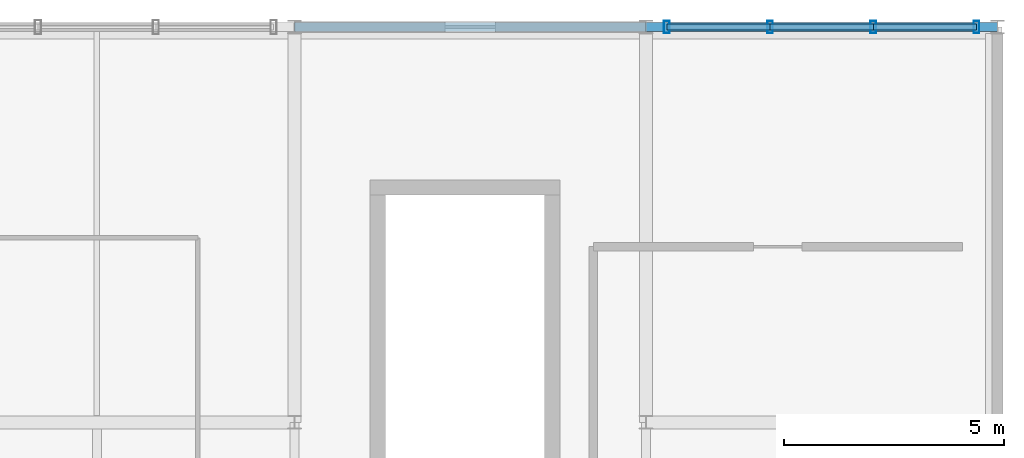
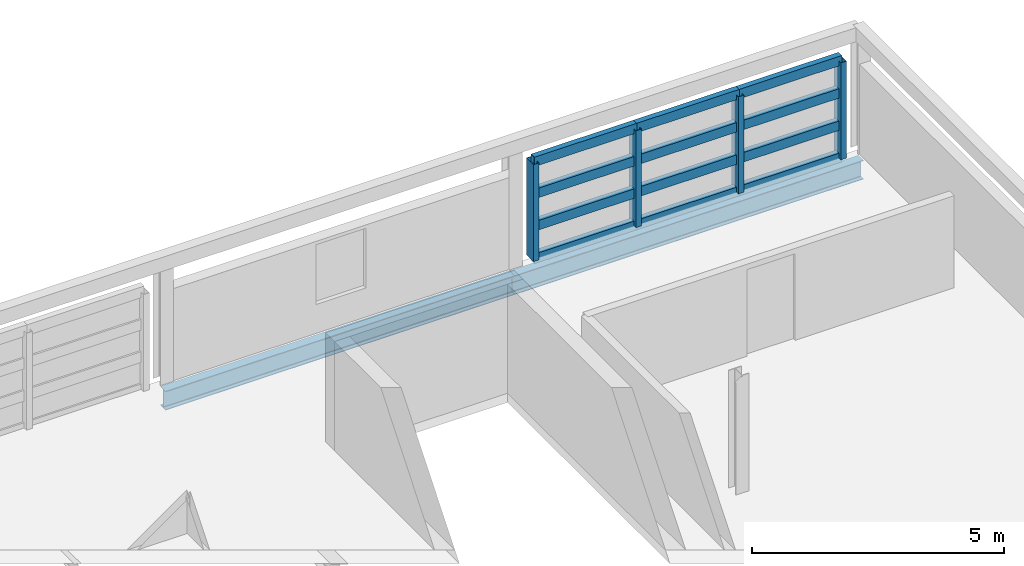
# One storey, part 21 of 27: 16 members, 2 beams, 1 element without a shape of its own.
"""IFC4 building model written with IfcOpenShell, lengths in metres."""

import ifcopenshell
import ifcopenshell.guid

model = None  # the IFC model being written
_history = None  # IfcOwnerHistory: only IFC2X3 demands one
_inside = {}  # id of a spatial element -> (the spatial element, [elements in it])
_under = {}  # id of a project, library or spatial element -> (it, [spatial elements below it])
_declared = {}  # id of a project -> (the project, [libraries it declares])
_typed = {}  # id of a type object -> (the type object, [elements of that type])
_made_of = {}  # id of a material, layer set ... -> (it, [elements and type objects made of it])


def new_model(schema):
    """Start an empty IFC model of exactly this schema.

    Asked for "IFC4X3", IfcOpenShell would pick the latest addendum, in which some entities
    have other attributes; the version numbers below select the first issue.
    IFC2X3 requires an IfcOwnerHistory on every rooted entity: one is made here for all.
    """
    global model, _history
    if schema == "IFC4X3":
        model = ifcopenshell.file(schema_version=(4, 3, 0, 0))
    else:
        model = ifcopenshell.file(schema=schema)
    _inside.clear()
    _under.clear()
    _declared.clear()
    _typed.clear()
    _made_of.clear()
    _history = None
    if model.schema == "IFC2X3":
        org = make("IfcOrganization", Name="unknown")
        user = make(
            "IfcPersonAndOrganization",
            ThePerson=make("IfcPerson", FamilyName="unknown"),
            TheOrganization=org,
        )
        app = make(
            "IfcApplication",
            ApplicationDeveloper=org,
            Version="unknown",
            ApplicationFullName="unknown",
            ApplicationIdentifier="unknown",
        )
        _history = make(
            "IfcOwnerHistory",
            OwningUser=user,
            OwningApplication=app,
            ChangeAction="ADDED",
            CreationDate=0,
        )
    return model


def make(cls, **values):
    """One entity of the class cls with the attributes given. An attribute that is None is left unset."""
    return model.create_entity(
        cls, **{name: value for name, value in values.items() if value is not None}
    )


def rooted(cls, **values):
    """An entity with a GlobalId (a new one), such as an element, a storey or a relation."""
    return make(cls, GlobalId=ifcopenshell.guid.new(), OwnerHistory=_history, **values)


def si_unit(unit_type, name, prefix=None):
    """IfcSIUnit, for example si_unit("LENGTHUNIT", "METRE", prefix="MILLI")."""
    return make("IfcSIUnit", UnitType=unit_type, Prefix=prefix, Name=name)


def assignment(units):
    """IfcUnitAssignment: the units of a project."""
    return None if units is None else make("IfcUnitAssignment", Units=units)


def point(xyz):
    """IfcCartesianPoint."""
    return None if xyz is None else make("IfcCartesianPoint", Coordinates=xyz)


def direction(xyz):
    """IfcDirection."""
    return None if xyz is None else make("IfcDirection", DirectionRatios=xyz)


def frame(location, z_axis=None, x_axis=None):
    """IfcAxis2Placement3D, a coordinate frame: its origin and axes. An axis left out is left unset."""
    return make(
        "IfcAxis2Placement3D",
        Location=point(location),
        Axis=direction(z_axis),
        RefDirection=direction(x_axis),
    )


def frame_2d(location, x_axis=None):
    """IfcAxis2Placement2D, a coordinate frame in the plane: its origin and x axis."""
    return make(
        "IfcAxis2Placement2D", Location=point(location), RefDirection=direction(x_axis)
    )


def origin():
    """The frame at (0, 0, 0) with its axes left unset."""
    return frame((0.0, 0.0, 0.0))


def origin_2d():
    """The frame at (0, 0) in the plane with its x axis left unset."""
    return frame_2d((0.0, 0.0))


def place(relative_to, where):
    """IfcLocalPlacement: puts the frame where relative to a parent placement (None: the world)."""
    return make(
        "IfcLocalPlacement", PlacementRelTo=relative_to, RelativePlacement=where
    )


def context(
    kind, dimensions, precision=None, world=None, true_north=None, identifier=None
):
    """IfcGeometricRepresentationContext, for example the 3D "Model" context."""
    return make(
        "IfcGeometricRepresentationContext",
        ContextIdentifier=identifier,
        ContextType=kind,
        CoordinateSpaceDimension=dimensions,
        Precision=precision,
        WorldCoordinateSystem=world,
        TrueNorth=true_north,
    )


def subcontext(parent, identifier, kind, view, scale=None):
    """IfcGeometricRepresentationSubContext, for example "Body" below "Model"."""
    return make(
        "IfcGeometricRepresentationSubContext",
        ContextIdentifier=identifier,
        ContextType=kind,
        ParentContext=parent,
        TargetScale=scale,
        TargetView=view,
    )


def project(units=None, contexts=None):
    """IfcProject with its units and contexts."""
    return rooted(
        "IfcProject",
        Name="project",
        RepresentationContexts=contexts,
        UnitsInContext=assignment(units),
    )


def spatial(cls, under=None, at=None, **own):
    """A site, building, storey or space (cls), placed at a placement, below another one or the project."""
    s = rooted(cls, ObjectPlacement=at, **own)
    if under is not None:
        _under.setdefault(under.id(), (under, []))[1].append(s)
    return s


def profile(cls, at=None, kind="AREA", **sizes):
    """A parametric profile (cls). Its sizes go by their IFC names, for example OverallWidth=200.0."""
    return make(cls, ProfileType=kind, Position=at, **sizes)


def hollow_rectangle(**sizes):
    """IfcRectangleHollowProfileDef."""
    return profile("IfcRectangleHollowProfileDef", **sizes)


def i_section(**sizes):
    """IfcIShapeProfileDef."""
    return profile("IfcIShapeProfileDef", **sizes)


def extrude(swept, where, along, depth):
    """IfcExtrudedAreaSolid: the profile swept, set in the frame where, extruded along a direction by depth."""
    return make(
        "IfcExtrudedAreaSolid",
        SweptArea=swept,
        Position=where,
        ExtrudedDirection=direction(along),
        Depth=depth,
    )


def shape(context_of_items, identifier, shape_type, items):
    """IfcShapeRepresentation: the items that make up one representation, for example the "Body"."""
    return make(
        "IfcShapeRepresentation",
        ContextOfItems=context_of_items,
        RepresentationIdentifier=identifier,
        RepresentationType=shape_type,
        Items=items,
    )


def material(Name=None, Category=None):
    """IfcMaterial."""
    return make("IfcMaterial", Name=Name, Category=Category)


def material_profile(
    of_material, cross_section, Name=None, Category=None, Priority=None
):
    """IfcMaterialProfile: a cross section and its material."""
    return make(
        "IfcMaterialProfile",
        Name=Name,
        Material=of_material,
        Profile=cross_section,
        Priority=Priority,
        Category=Category,
    )


def profile_set(profiles, Name=None, composite=None):
    """IfcMaterialProfileSet."""
    return make(
        "IfcMaterialProfileSet",
        Name=Name,
        MaterialProfiles=profiles,
        CompositeProfile=composite,
    )


def made_of(thing, what):
    """Note that an element or type object is made of a material, layer set ...; save() writes the relation."""
    if what is not None:
        _made_of.setdefault(what.id(), (what, []))[1].append(thing)
    return thing


def type_object(cls, material=None, **own):
    """A type object (cls), such as IfcWallType, which elements share."""
    return made_of(rooted(cls, **own), material)


def element(
    cls,
    number,
    at=None,
    inside=None,
    cuts=None,
    type_object=None,
    material=None,
    context=None,
    identifier="Body",
    shape_type=None,
    held_by="IfcProductDefinitionShape",
    body=None,
    shapes=None,
    **own,
):
    """One element of the class cls, such as IfcWall. Its Tag is "e" and its number.

    at: its placement. inside: the storey or other place that contains it. cuts: it is an
    opening in that element (IfcRelVoidsElement). A single representation is given by context,
    identifier, shape_type and body (its items); several are given by shapes. held_by: the class
    of the entity that holds the representations. save() writes the other relations.
    """
    e = rooted(cls, Tag="e%d" % number, ObjectPlacement=at, **own)
    if body is not None:
        shapes = [shape(context, identifier, shape_type, body)]
    if shapes is not None:
        e.Representation = make(held_by, Representations=shapes)
    if inside is not None:
        _inside.setdefault(inside.id(), (inside, []))[1].append(e)
    if cuts is not None:
        rooted(
            "IfcRelVoidsElement", RelatingBuildingElement=cuts, RelatedOpeningElement=e
        )
    if type_object is not None:
        _typed.setdefault(type_object.id(), (type_object, []))[1].append(e)
    return made_of(e, material)


def aggregate(whole, parts):
    """IfcRelAggregates: a whole, such as a stair, and the parts it consists of."""
    return rooted("IfcRelAggregates", RelatingObject=whole, RelatedObjects=parts)


def save(model, path):
    """Write the relations noted so far, then the file.

    IfcRelAggregates (storeys below a building ...), IfcRelContainedInSpatialStructure (elements
    in a storey), IfcRelDefinesByType, IfcRelAssociatesMaterial and IfcRelDeclares: one each for
    every whole, place, type object, material and project.
    """
    for whole, parts in _under.values():
        aggregate(whole, parts)
    for where, things in _inside.values():
        rooted(
            "IfcRelContainedInSpatialStructure",
            RelatedElements=things,
            RelatingStructure=where,
        )
    for kind, things in _typed.values():
        rooted("IfcRelDefinesByType", RelatedObjects=things, RelatingType=kind)
    for what, things in _made_of.values():
        rooted("IfcRelAssociatesMaterial", RelatedObjects=things, RelatingMaterial=what)
    for by, libraries in _declared.values():
        rooted("IfcRelDeclares", RelatingContext=by, RelatedDefinitions=libraries)
    model.write(path)


model = new_model("IFC4")

# Units and contexts
model_context = context("Model", 3, precision=1e-05, world=origin(), true_north=direction((0.0, 1.0)))
body_context = subcontext(model_context, "Body", "Model", "MODEL_VIEW")
ifc_project = project(units=[si_unit("LENGTHUNIT", "METRE"), si_unit("AREAUNIT", "SQUARE_METRE"), si_unit("VOLUMEUNIT", "CUBIC_METRE"), si_unit("PLANEANGLEUNIT", "RADIAN"), si_unit("MASSUNIT", "GRAM", prefix="KILO")], contexts=[model_context])

# Site, building, storey
site_placement = place(None, origin())
site = spatial("IfcSite", under=ifc_project, at=site_placement, CompositionType="ELEMENT")
building_placement = place(site_placement, origin())
building = spatial("IfcBuilding", under=site, at=building_placement, Name="Chuanluo Vaults Station", CompositionType="ELEMENT")
storey_placement = place(building_placement, frame((0.0, 0.0, 20.800048828125)))
storey = spatial("IfcBuildingStorey", under=building, at=storey_placement, Name="L05", CompositionType="ELEMENT", Elevation=20.800048828125)

# Beams
ifc_material_1 = material(Name="Steel Q355C", Category="steel")
ifc_material_profile_1 = material_profile(ifc_material_1, i_section(OverallWidth=0.205078125, OverallDepth=0.4599609375, WebThickness=0.009033203125, FlangeThickness=0.013916015625, FilletRadius=0.01611328125, at=origin_2d()))
ifc_profile_set_1 = profile_set([ifc_material_profile_1], Name="Steel Q355C")
beam_type = type_object("IfcBeamType", Name="BM-SPN-450", PredefinedType="SPANDREL", material=ifc_profile_set_1)
for number, where, z_axis, x_axis, name in (
    (1, (172.0, 126.0, -0.449951171875), (1.0, 0.0, 0.0), (0.0, 1.0, 0.0), "Floor girder BM:GX:L05:0983"),
    (2, (180.0, 126.0, -0.449951171875), (1.0, 0.0, 0.0), (0.0, 1.0, 0.0), "Floor girder BM:GX:L05:0984"),
):
    element("IfcBeam", number, at=place(storey_placement, frame(where, z_axis=z_axis, x_axis=x_axis)), inside=storey, type_object=beam_type, Name=name, PredefinedType="SPANDREL", context=body_context, shape_type="SweptSolid", body=[
        extrude(i_section(OverallWidth=0.205078125, OverallDepth=0.4599609375, WebThickness=0.009033203125, FlangeThickness=0.013916015625, FilletRadius=0.01611328125, at=origin_2d()), origin(), (0.0, 0.0, 1.0), 8.0),
    ])

# Curtain wall, members
ifc_material_2 = material(Name="Anodised aluminium 6063-T6", Category="aluminium")
curtain_wall_type = type_object("IfcCurtainWallType", Name="CW-SYS-02", PredefinedType="NOTDEFINED", material=ifc_material_2)
curtain_wall_placement = place(storey_placement, origin())
curtain_wall = element("IfcCurtainWall", 3, at=curtain_wall_placement, inside=storey, type_object=curtain_wall_type, Name="Operations L05 facade CW", PredefinedType="NOTDEFINED")
ifc_material_3 = material(Name="Anodised aluminium 6063-T6", Category="aluminium")
ifc_material_profile_2 = material_profile(ifc_material_3, hollow_rectangle(XDim=0.1298828125, YDim=0.280029296875, WallThickness=0.007080078125, at=origin_2d()))
ifc_profile_set_2 = profile_set([ifc_material_profile_2], Name="Anodised aluminium 6063-T6")
member_type_1 = type_object("IfcMemberType", Name="CWM-180", PredefinedType="MULLION", material=ifc_profile_set_2)
member_1_placement = place(storey_placement, frame((180.47509765625, 126.0, 0.0), z_axis=(0.0, 0.0, 1.0), x_axis=(1.0, 0.0, 0.0)))
member_1 = element("IfcMember", 4, at=member_1_placement, type_object=member_type_1, Name="Operations L05 facade CW mullion 1", PredefinedType="MULLION", context=body_context, shape_type="SweptSolid", body=[
    extrude(hollow_rectangle(XDim=0.1298828125, YDim=0.280029296875, WallThickness=0.007080078125, at=origin_2d()), origin(), (0.0, 0.0, 1.0), 2.349853515625),
])
member_2_placement = place(storey_placement, frame((182.824951171875, 126.0, 0.0), z_axis=(0.0, 0.0, 1.0), x_axis=(1.0, 0.0, 0.0)))
member_2 = element("IfcMember", 5, at=member_2_placement, type_object=member_type_1, Name="Operations L05 facade CW mullion 2", PredefinedType="MULLION", context=body_context, shape_type="SweptSolid", body=[
    extrude(hollow_rectangle(XDim=0.1298828125, YDim=0.280029296875, WallThickness=0.007080078125, at=origin_2d()), origin(), (0.0, 0.0, 1.0), 2.349853515625),
])
member_3_placement = place(storey_placement, frame((185.175048828125, 126.0, 0.0), z_axis=(0.0, 0.0, 1.0), x_axis=(1.0, 0.0, 0.0)))
member_3 = element("IfcMember", 6, at=member_3_placement, type_object=member_type_1, Name="Operations L05 facade CW mullion 3", PredefinedType="MULLION", context=body_context, shape_type="SweptSolid", body=[
    extrude(hollow_rectangle(XDim=0.1298828125, YDim=0.280029296875, WallThickness=0.007080078125, at=origin_2d()), origin(), (0.0, 0.0, 1.0), 2.349853515625),
])
member_4_placement = place(storey_placement, frame((187.52490234375, 126.0, 0.0), z_axis=(0.0, 0.0, 1.0), x_axis=(1.0, 0.0, 0.0)))
member_4 = element("IfcMember", 7, at=member_4_placement, type_object=member_type_1, Name="Operations L05 facade CW mullion 4", PredefinedType="MULLION", context=body_context, shape_type="SweptSolid", body=[
    extrude(hollow_rectangle(XDim=0.1298828125, YDim=0.280029296875, WallThickness=0.007080078125, at=origin_2d()), origin(), (0.0, 0.0, 1.0), 2.349853515625),
])
ifc_material_4 = material(Name="Anodised aluminium 6063-T6", Category="aluminium")
ifc_material_profile_3 = material_profile(ifc_material_4, hollow_rectangle(XDim=0.1298828125, YDim=0.22998046875, WallThickness=0.006103515625, at=origin_2d()))
ifc_profile_set_3 = profile_set([ifc_material_profile_3], Name="Anodised aluminium 6063-T6")
member_type_2 = type_object("IfcMemberType", Name="CWT-150", PredefinedType="USERDEFINED", material=ifc_profile_set_3)
member_5_placement = place(storey_placement, frame((180.47509765625, 126.0, 0.0), z_axis=(1.0, 0.0, 0.0), x_axis=(0.0, 1.0, 0.0)))
member_5 = element("IfcMember", 8, at=member_5_placement, type_object=member_type_2, Name="Operations L05 facade CW transom 1.1", ObjectType="TRANSOM", PredefinedType="USERDEFINED", context=body_context, shape_type="SweptSolid", body=[
    extrude(hollow_rectangle(XDim=0.1298828125, YDim=0.22998046875, WallThickness=0.006103515625, at=origin_2d()), origin(), (0.0, 0.0, 1.0), 2.349853515625),
])
member_6_placement = place(storey_placement, frame((180.47509765625, 126.0, 0.783203125), z_axis=(1.0, 0.0, 0.0), x_axis=(0.0, 1.0, 0.0)))
member_6 = element("IfcMember", 9, at=member_6_placement, type_object=member_type_2, Name="Operations L05 facade CW transom 1.2", ObjectType="TRANSOM", PredefinedType="USERDEFINED", context=body_context, shape_type="SweptSolid", body=[
    extrude(hollow_rectangle(XDim=0.1298828125, YDim=0.22998046875, WallThickness=0.006103515625, at=origin_2d()), origin(), (0.0, 0.0, 1.0), 2.349853515625),
])
member_7_placement = place(storey_placement, frame((180.47509765625, 126.0, 1.566650390625), z_axis=(1.0, 0.0, 0.0), x_axis=(0.0, 1.0, 0.0)))
member_7 = element("IfcMember", 10, at=member_7_placement, type_object=member_type_2, Name="Operations L05 facade CW transom 1.3", ObjectType="TRANSOM", PredefinedType="USERDEFINED", context=body_context, shape_type="SweptSolid", body=[
    extrude(hollow_rectangle(XDim=0.1298828125, YDim=0.22998046875, WallThickness=0.006103515625, at=origin_2d()), origin(), (0.0, 0.0, 1.0), 2.349853515625),
])
member_8_placement = place(storey_placement, frame((180.47509765625, 126.0, 2.349853515625), z_axis=(1.0, 0.0, 0.0), x_axis=(0.0, 1.0, 0.0)))
member_8 = element("IfcMember", 11, at=member_8_placement, type_object=member_type_2, Name="Operations L05 facade CW transom 1.4", ObjectType="TRANSOM", PredefinedType="USERDEFINED", context=body_context, shape_type="SweptSolid", body=[
    extrude(hollow_rectangle(XDim=0.1298828125, YDim=0.22998046875, WallThickness=0.006103515625, at=origin_2d()), origin(), (0.0, 0.0, 1.0), 2.349853515625),
])
member_9_placement = place(storey_placement, frame((182.824951171875, 126.0, 0.0), z_axis=(1.0, 0.0, 0.0), x_axis=(0.0, 1.0, 0.0)))
member_9 = element("IfcMember", 12, at=member_9_placement, type_object=member_type_2, Name="Operations L05 facade CW transom 2.1", ObjectType="TRANSOM", PredefinedType="USERDEFINED", context=body_context, shape_type="SweptSolid", body=[
    extrude(hollow_rectangle(XDim=0.1298828125, YDim=0.22998046875, WallThickness=0.006103515625, at=origin_2d()), origin(), (0.0, 0.0, 1.0), 2.35009765625),
])
member_10_placement = place(storey_placement, frame((182.824951171875, 126.0, 0.783203125), z_axis=(1.0, 0.0, 0.0), x_axis=(0.0, 1.0, 0.0)))
member_10 = element("IfcMember", 13, at=member_10_placement, type_object=member_type_2, Name="Operations L05 facade CW transom 2.2", ObjectType="TRANSOM", PredefinedType="USERDEFINED", context=body_context, shape_type="SweptSolid", body=[
    extrude(hollow_rectangle(XDim=0.1298828125, YDim=0.22998046875, WallThickness=0.006103515625, at=origin_2d()), origin(), (0.0, 0.0, 1.0), 2.35009765625),
])
member_11_placement = place(storey_placement, frame((182.824951171875, 126.0, 1.566650390625), z_axis=(1.0, 0.0, 0.0), x_axis=(0.0, 1.0, 0.0)))
member_11 = element("IfcMember", 14, at=member_11_placement, type_object=member_type_2, Name="Operations L05 facade CW transom 2.3", ObjectType="TRANSOM", PredefinedType="USERDEFINED", context=body_context, shape_type="SweptSolid", body=[
    extrude(hollow_rectangle(XDim=0.1298828125, YDim=0.22998046875, WallThickness=0.006103515625, at=origin_2d()), origin(), (0.0, 0.0, 1.0), 2.35009765625),
])
member_12_placement = place(storey_placement, frame((182.824951171875, 126.0, 2.349853515625), z_axis=(1.0, 0.0, 0.0), x_axis=(0.0, 1.0, 0.0)))
member_12 = element("IfcMember", 15, at=member_12_placement, type_object=member_type_2, Name="Operations L05 facade CW transom 2.4", ObjectType="TRANSOM", PredefinedType="USERDEFINED", context=body_context, shape_type="SweptSolid", body=[
    extrude(hollow_rectangle(XDim=0.1298828125, YDim=0.22998046875, WallThickness=0.006103515625, at=origin_2d()), origin(), (0.0, 0.0, 1.0), 2.35009765625),
])
member_13_placement = place(storey_placement, frame((185.175048828125, 126.0, 0.0), z_axis=(1.0, 0.0, 0.0), x_axis=(0.0, 1.0, 0.0)))
member_13 = element("IfcMember", 16, at=member_13_placement, type_object=member_type_2, Name="Operations L05 facade CW transom 3.1", ObjectType="TRANSOM", PredefinedType="USERDEFINED", context=body_context, shape_type="SweptSolid", body=[
    extrude(hollow_rectangle(XDim=0.1298828125, YDim=0.22998046875, WallThickness=0.006103515625, at=origin_2d()), origin(), (0.0, 0.0, 1.0), 2.349853515625),
])
member_14_placement = place(storey_placement, frame((185.175048828125, 126.0, 0.783203125), z_axis=(1.0, 0.0, 0.0), x_axis=(0.0, 1.0, 0.0)))
member_14 = element("IfcMember", 17, at=member_14_placement, type_object=member_type_2, Name="Operations L05 facade CW transom 3.2", ObjectType="TRANSOM", PredefinedType="USERDEFINED", context=body_context, shape_type="SweptSolid", body=[
    extrude(hollow_rectangle(XDim=0.1298828125, YDim=0.22998046875, WallThickness=0.006103515625, at=origin_2d()), origin(), (0.0, 0.0, 1.0), 2.349853515625),
])
member_15_placement = place(storey_placement, frame((185.175048828125, 126.0, 1.566650390625), z_axis=(1.0, 0.0, 0.0), x_axis=(0.0, 1.0, 0.0)))
member_15 = element("IfcMember", 18, at=member_15_placement, type_object=member_type_2, Name="Operations L05 facade CW transom 3.3", ObjectType="TRANSOM", PredefinedType="USERDEFINED", context=body_context, shape_type="SweptSolid", body=[
    extrude(hollow_rectangle(XDim=0.1298828125, YDim=0.22998046875, WallThickness=0.006103515625, at=origin_2d()), origin(), (0.0, 0.0, 1.0), 2.349853515625),
])
member_16_placement = place(storey_placement, frame((185.175048828125, 126.0, 2.349853515625), z_axis=(1.0, 0.0, 0.0), x_axis=(0.0, 1.0, 0.0)))
member_16 = element("IfcMember", 19, at=member_16_placement, type_object=member_type_2, Name="Operations L05 facade CW transom 3.4", ObjectType="TRANSOM", PredefinedType="USERDEFINED", context=body_context, shape_type="SweptSolid", body=[
    extrude(hollow_rectangle(XDim=0.1298828125, YDim=0.22998046875, WallThickness=0.006103515625, at=origin_2d()), origin(), (0.0, 0.0, 1.0), 2.349853515625),
])
aggregate(curtain_wall, [member_1, member_2, member_3, member_4, member_5, member_6, member_7, member_8, member_9, member_10, member_11, member_12, member_13, member_14, member_15, member_16])

save(model, "model.ifc")
